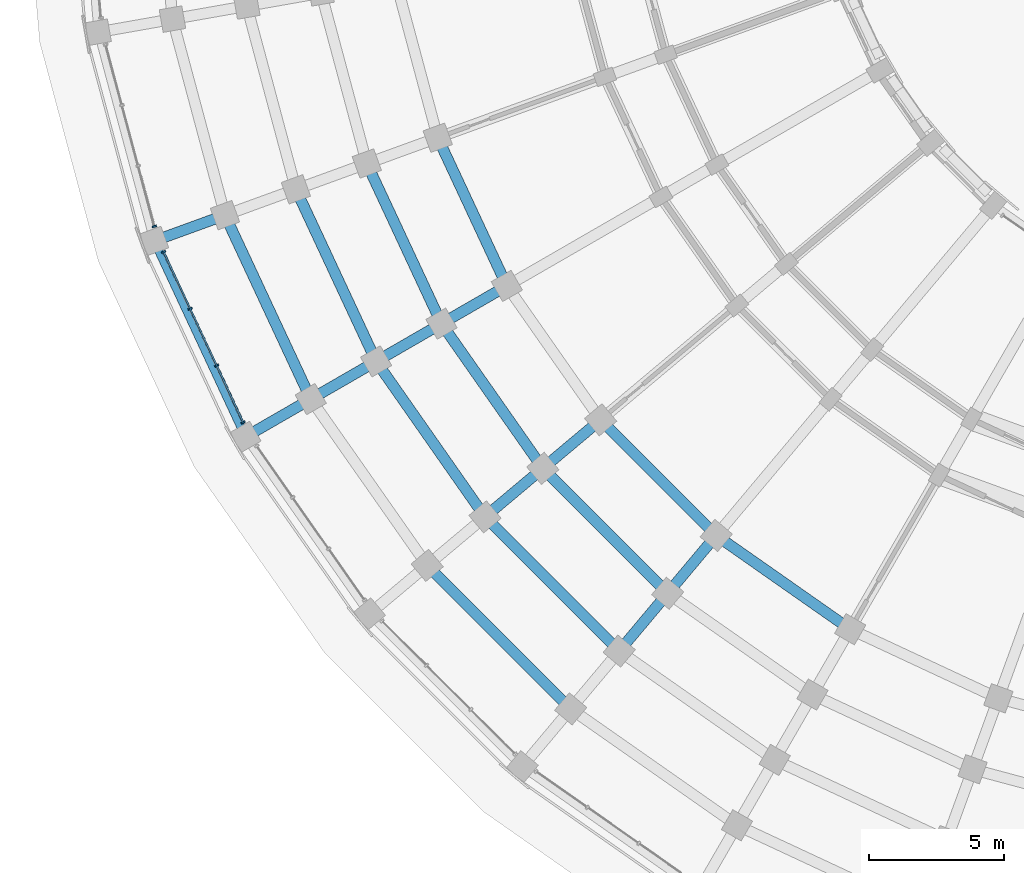
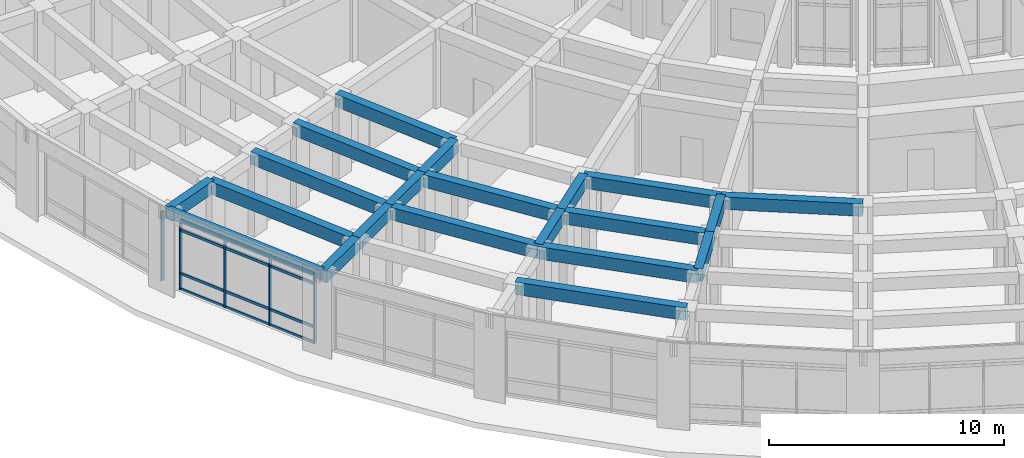
# One storey, part 14 of 135: 21 beams, 9 members, 2 elements without a shape of their own.
"""IFC4 building model written with IfcOpenShell, lengths in metres."""

from ifc_helpers import new_model, si_unit, direction, frame, origin, origin_2d, place, context, subcontext, project, spatial, rectangle, extrude, material, material_profile, profile_set, type_object, element, aggregate, save


model = new_model("IFC4")

# Units and contexts
model_context = context("Model", 3, precision=1e-05, world=origin(), true_north=direction((0.0, 1.0)))
body_context = subcontext(model_context, "Body", "Model", "MODEL_VIEW")
ifc_project = project(units=[si_unit("LENGTHUNIT", "METRE"), si_unit("AREAUNIT", "SQUARE_METRE"), si_unit("VOLUMEUNIT", "CUBIC_METRE"), si_unit("PLANEANGLEUNIT", "RADIAN"), si_unit("MASSUNIT", "GRAM", prefix="KILO")], contexts=[model_context])

# Site, building, storey
site_placement = place(None, origin())
site = spatial("IfcSite", under=ifc_project, at=site_placement, CompositionType="ELEMENT")
building_placement = place(site_placement, origin())
building = spatial("IfcBuilding", under=site, at=building_placement, Name="Kiranvali Square Residences", CompositionType="ELEMENT")
storey_placement = place(building_placement, origin())
storey = spatial("IfcBuildingStorey", under=building, at=storey_placement, Name="L00", CompositionType="ELEMENT", Elevation=0.0)

# Beams
ifc_material_1 = material(Name="Concrete M45 (45 MPa)", Category="concrete")
ifc_material_profile_1 = material_profile(ifc_material_1, rectangle(XDim=0.39990234375, YDim=0.64990234375, at=origin_2d()), Name="RC 400x650")
ifc_profile_set_1 = profile_set([ifc_material_profile_1], Name="Concrete M45 (45 MPa)")
beam_type_1 = type_object("IfcBeamType", Name="BM-M45-400x650", PredefinedType="BEAM", material=ifc_profile_set_1)
beam_1_placement = place(storey_placement, frame((30.800048828125, 18.062255859375, 3.824951171875), z_axis=(-0.81913926159, 0.573594691504, 0.0), x_axis=(-0.573594691504, -0.81913926159, 0.0)))
element("IfcBeam", 1, at=beam_1_placement, inside=storey, type_object=beam_type_1, Name="L00 beam BM-C-L00-C03-R3", PredefinedType="BEAM", context=body_context, shape_type="SweptSolid", body=[
    extrude(rectangle(XDim=0.39990234375, YDim=0.64990234375, at=origin_2d()), origin(), (0.0, 0.0, 1.0), 6.066162109375),
])
beam_2_placement = place(storey_placement, frame((25.8310546875, 21.541748046875, 3.824951171875), z_axis=(-0.707106781187, 0.707106781187, 0.0), x_axis=(-0.707106781187, -0.707106781187, 0.0)))
element("IfcBeam", 2, at=beam_2_placement, inside=storey, type_object=beam_type_1, Name="L00 beam BM-C-L00-C04-R3", PredefinedType="BEAM", context=body_context, shape_type="SweptSolid", body=[
    extrude(rectangle(XDim=0.39990234375, YDim=0.64990234375, at=origin_2d()), origin(), (0.0, 0.0, 1.0), 6.06591796875),
])
beam_3_placement = place(storey_placement, frame((24.03125, 19.396728515625, 3.824951171875), z_axis=(-0.707106781187, 0.707106781187, 0.0), x_axis=(-0.707106781187, -0.707106781187, 0.0)))
element("IfcBeam", 3, at=beam_3_placement, inside=storey, type_object=beam_type_1, Name="L00 beam BM-C-L00-C04-R4", PredefinedType="BEAM", context=body_context, shape_type="SweptSolid", body=[
    extrude(rectangle(XDim=0.39990234375, YDim=0.64990234375, at=origin_2d()), origin(), (0.0, 0.0, 1.0), 6.55419921875),
])
beam_4_placement = place(storey_placement, frame((22.2314453125, 17.251708984375, 3.824951171875), z_axis=(-0.707106781187, 0.707106781187, 0.0), x_axis=(-0.707106781187, -0.707106781187, 0.0)))
element("IfcBeam", 4, at=beam_4_placement, inside=storey, type_object=beam_type_1, Name="L00 beam BM-C-L00-C04-R5", PredefinedType="BEAM", context=body_context, shape_type="SweptSolid", body=[
    extrude(rectangle(XDim=0.39990234375, YDim=0.64990234375, at=origin_2d()), origin(), (0.0, 0.0, 1.0), 7.04248046875),
])
beam_5_placement = place(storey_placement, frame((20.431640625, 15.10693359375, 3.824951171875), z_axis=(-0.707106781187, 0.707106781187, 0.0), x_axis=(-0.707106781187, -0.707106781187, 0.0)))
element("IfcBeam", 5, at=beam_5_placement, inside=storey, type_object=beam_type_1, Name="L00 beam BM-C-L00-C04-R6", PredefinedType="BEAM", context=body_context, shape_type="SweptSolid", body=[
    extrude(rectangle(XDim=0.39990234375, YDim=0.64990234375, at=origin_2d()), origin(), (0.0, 0.0, 1.0), 7.5302734375),
])
beam_6_placement = place(storey_placement, frame((19.396728515625, 24.03125, 3.824951171875), z_axis=(-0.573587340268, 0.819144409176, 0.0), x_axis=(-0.819144409176, -0.573587340268, 0.0)))
element("IfcBeam", 6, at=beam_6_placement, inside=storey, type_object=beam_type_1, Name="L00 beam BM-C-L00-C05-R4", PredefinedType="BEAM", context=body_context, shape_type="SweptSolid", body=[
    extrude(rectangle(XDim=0.39990234375, YDim=0.64990234375, at=origin_2d()), origin(), (0.0, 0.0, 1.0), 6.553955078125),
])
beam_7_placement = place(storey_placement, frame((17.251708984375, 22.2314453125, 3.824951171875), z_axis=(-0.57356471828, 0.819160249246, 0.0), x_axis=(-0.819160249246, -0.57356471828, 0.0)))
element("IfcBeam", 7, at=beam_7_placement, inside=storey, type_object=beam_type_1, Name="L00 beam BM-C-L00-C05-R5", PredefinedType="BEAM", context=body_context, shape_type="SweptSolid", body=[
    extrude(rectangle(XDim=0.39990234375, YDim=0.64990234375, at=origin_2d()), origin(), (0.0, 0.0, 1.0), 7.0419921875),
])
beam_8_placement = place(storey_placement, frame((18.062255859375, 30.800048828125, 3.824951171875), z_axis=(-0.42260781991, 0.906312656069, 0.0), x_axis=(-0.906312656069, -0.42260781991, 0.0)))
element("IfcBeam", 8, at=beam_8_placement, inside=storey, type_object=beam_type_1, Name="L00 beam BM-C-L00-C06-R3", PredefinedType="BEAM", context=body_context, shape_type="SweptSolid", body=[
    extrude(rectangle(XDim=0.39990234375, YDim=0.64990234375, at=origin_2d()), origin(), (0.0, 0.0, 1.0), 6.06591796875),
])
beam_9_placement = place(storey_placement, frame((15.637451171875, 29.39990234375, 3.824951171875), z_axis=(-0.422595876255, 0.906318225223, 0.0), x_axis=(-0.906318225223, -0.422595876255, 0.0)))
element("IfcBeam", 9, at=beam_9_placement, inside=storey, type_object=beam_type_1, Name="L00 beam BM-C-L00-C06-R4", PredefinedType="BEAM", context=body_context, shape_type="SweptSolid", body=[
    extrude(rectangle(XDim=0.39990234375, YDim=0.64990234375, at=origin_2d()), origin(), (0.0, 0.0, 1.0), 6.55419921875),
])
beam_10_placement = place(storey_placement, frame((13.212646484375, 28.0, 3.824951171875), z_axis=(-0.422640621205, 0.906297360311, 0.0), x_axis=(-0.906297360311, -0.422640621205, 0.0)))
element("IfcBeam", 10, at=beam_10_placement, inside=storey, type_object=beam_type_1, Name="L00 beam BM-C-L00-C06-R5", PredefinedType="BEAM", context=body_context, shape_type="SweptSolid", body=[
    extrude(rectangle(XDim=0.39990234375, YDim=0.64990234375, at=origin_2d()), origin(), (0.0, 0.0, 1.0), 7.042236328125),
])
beam_11_placement = place(storey_placement, frame((10.78759765625, 26.60009765625, 3.824951171875), z_axis=(-0.422613886933, 0.90630982703, 0.0), x_axis=(-0.90630982703, -0.422613886933, 0.0)))
element("IfcBeam", 11, at=beam_11_placement, inside=storey, type_object=beam_type_1, Name="L00 beam BM-C-L00-C06-R6", PredefinedType="BEAM", context=body_context, shape_type="SweptSolid", body=[
    extrude(rectangle(XDim=0.39990234375, YDim=0.64990234375, at=origin_2d()), origin(), (0.0, 0.0, 1.0), 7.5302734375),
])
for number, where, z_axis, x_axis, name in (
    (12, (25.8310546875, 21.541748046875, 3.824951171875), (-0.642770757628, -0.766058583359, 0.0), (0.766058583359, -0.642770757628, 0.0), "L00 beam BM-C-L00-RAD04-34"),
    (13, (24.03125, 19.396728515625, 3.824951171875), (-0.642770757628, -0.766058583359, 0.0), (0.766058583359, -0.642770757628, 0.0), "L00 beam BM-C-L00-RAD04-45"),
    (14, (21.541748046875, 25.8310546875, 3.824951171875), (-0.766058583359, -0.642770757628, 0.0), (0.642770757628, -0.766058583359, 0.0), "L00 beam BM-C-L00-RAD05-34"),
    (15, (19.396728515625, 24.03125, 3.824951171875), (-0.766058583359, -0.642770757628, 0.0), (0.642770757628, -0.766058583359, 0.0), "L00 beam BM-C-L00-RAD05-45"),
    (16, (18.062255859375, 30.800048828125, 3.824951171875), (-0.865996816683, -0.500049511043, 0.0), (0.500049511043, -0.865996816683, 0.0), "L00 beam BM-C-L00-RAD06-34"),
):
    element("IfcBeam", number, at=place(storey_placement, frame(where, z_axis=z_axis, x_axis=x_axis)), inside=storey, type_object=beam_type_1, Name=name, PredefinedType="BEAM", context=body_context, shape_type="SweptSolid", body=[
        extrude(rectangle(XDim=0.39990234375, YDim=0.64990234375, at=origin_2d()), origin(), (0.0, 0.0, 1.0), 2.800048828125),
    ])
beam_12_placement = place(storey_placement, frame((15.637451171875, 29.39990234375, 3.824951171875), z_axis=(-0.866034573852, -0.49998411664, 0.0), x_axis=(0.49998411664, -0.866034573852, 0.0)))
element("IfcBeam", 17, at=beam_12_placement, inside=storey, type_object=beam_type_1, Name="L00 beam BM-C-L00-RAD06-45", PredefinedType="BEAM", context=body_context, shape_type="SweptSolid", body=[
    extrude(rectangle(XDim=0.39990234375, YDim=0.64990234375, at=origin_2d()), origin(), (0.0, 0.0, 1.0), 2.7998046875),
])
for number, where, z_axis, x_axis, name in (
    (18, (13.212646484375, 28.0, 3.824951171875), (-0.866056369097, -0.49994636267, 0.0), (0.49994636267, -0.866056369097, 0.0), "L00 beam BM-C-L00-RAD06-56"),
    (19, (10.78759765625, 26.60009765625, 3.824951171875), (-0.865996816683, -0.500049511043, 0.0), (0.500049511043, -0.865996816683, 0.0), "L00 beam BM-C-L00-RAD06-67"),
    (20, (7.605224609375, 33.4248046875, 3.824951171875), (-0.939678810556, -0.342058084236, 0.0), (0.342058084236, -0.939678810556, 0.0), "L00 beam BM-C-L00-RAD07-67"),
):
    element("IfcBeam", number, at=place(storey_placement, frame(where, z_axis=z_axis, x_axis=x_axis)), inside=storey, type_object=beam_type_1, Name=name, PredefinedType="BEAM", context=body_context, shape_type="SweptSolid", body=[
        extrude(rectangle(XDim=0.39990234375, YDim=0.64990234375, at=origin_2d()), origin(), (0.0, 0.0, 1.0), 2.800048828125),
    ])

# Curtain wall, members
ifc_material_2 = material(Name="Anodised bronze aluminium framing", Category="aluminium")
curtain_wall_type = type_object("IfcCurtainWallType", Name="CW-RET-SHOP", PredefinedType="USERDEFINED", material=ifc_material_2)
curtain_wall_1_placement = place(storey_placement, origin())
curtain_wall_1 = element("IfcCurtainWall", 21, at=curtain_wall_1_placement, inside=storey, type_object=curtain_wall_type, Name="Block C L00 rounded-corner arcade curtain wall 7", ObjectType="CURTAIN WALL", PredefinedType="USERDEFINED")
ifc_material_profile_2 = material_profile(ifc_material_2, rectangle(XDim=0.06494140625, YDim=0.159912109375, at=origin_2d()), Name="ALU 65x160")
ifc_profile_set_2 = profile_set([ifc_material_profile_2], Name="Anodised bronze aluminium framing")
member_type_1 = type_object("IfcMemberType", Name="CW-MUL-160", PredefinedType="MULLION", material=ifc_profile_set_2)
member_1_placement = place(storey_placement, frame((8.279052734375, 25.734619140625, 0.02001953125), z_axis=(0.0, 0.0, 1.0), x_axis=(-0.422618261741, 0.906307787037, 0.0)))
member_1 = element("IfcMember", 22, at=member_1_placement, type_object=member_type_1, Name="CW-C-L00-CRV-06 vertical mullion 1", PredefinedType="MULLION", context=body_context, shape_type="SweptSolid", body=[
    extrude(rectangle(XDim=0.06494140625, YDim=0.159912109375, at=origin_2d()), origin(), (0.0, 0.0, 1.0), 3.60986328125),
])
member_2_placement = place(storey_placement, frame((7.2958984375, 27.8427734375, 0.02001953125), z_axis=(0.0, 0.0, 1.0), x_axis=(-0.422618261741, 0.906307787037, 0.0)))
member_2 = element("IfcMember", 23, at=member_2_placement, type_object=member_type_1, Name="CW-C-L00-CRV-06 vertical mullion 2", PredefinedType="MULLION", context=body_context, shape_type="SweptSolid", body=[
    extrude(rectangle(XDim=0.06494140625, YDim=0.159912109375, at=origin_2d()), origin(), (0.0, 0.0, 1.0), 3.60986328125),
])
member_3_placement = place(storey_placement, frame((6.31298828125, 29.950927734375, 0.02001953125), z_axis=(0.0, 0.0, 1.0), x_axis=(-0.422618261741, 0.906307787037, 0.0)))
member_3 = element("IfcMember", 24, at=member_3_placement, type_object=member_type_1, Name="CW-C-L00-CRV-06 vertical mullion 3", PredefinedType="MULLION", context=body_context, shape_type="SweptSolid", body=[
    extrude(rectangle(XDim=0.06494140625, YDim=0.159912109375, at=origin_2d()), origin(), (0.0, 0.0, 1.0), 3.60986328125),
])
member_4_placement = place(storey_placement, frame((5.329833984375, 32.05908203125, 0.02001953125), z_axis=(0.0, 0.0, 1.0), x_axis=(-0.422618261741, 0.906307787037, 0.0)))
member_4 = element("IfcMember", 25, at=member_4_placement, type_object=member_type_1, Name="CW-C-L00-CRV-06 vertical mullion 4", PredefinedType="MULLION", context=body_context, shape_type="SweptSolid", body=[
    extrude(rectangle(XDim=0.06494140625, YDim=0.159912109375, at=origin_2d()), origin(), (0.0, 0.0, 1.0), 3.60986328125),
])

# Curtain wall, member
curtain_wall_2_placement = place(storey_placement, origin())
curtain_wall_2 = element("IfcCurtainWall", 26, at=curtain_wall_2_placement, inside=storey, type_object=curtain_wall_type, Name="Block C L00 rounded-corner arcade curtain wall 8", ObjectType="CURTAIN WALL", PredefinedType="USERDEFINED")
member_5_placement = place(storey_placement, frame((4.984375, 33.00830078125, 0.02001953125), z_axis=(0.0, 0.0, 1.0), x_axis=(-0.258819045103, 0.965925826289, 0.0)))
member_5 = element("IfcMember", 27, at=member_5_placement, type_object=member_type_1, Name="CW-C-L00-CRV-07 vertical mullion 1", PredefinedType="MULLION", context=body_context, shape_type="SweptSolid", body=[
    extrude(rectangle(XDim=0.06494140625, YDim=0.159912109375, at=origin_2d()), origin(), (0.0, 0.0, 1.0), 3.60986328125),
])
aggregate(curtain_wall_2, [member_5])

# Member
ifc_material_profile_3 = material_profile(ifc_material_2, rectangle(XDim=0.06494140625, YDim=0.139892578125, at=origin_2d()), Name="ALU 65x140")
ifc_profile_set_3 = profile_set([ifc_material_profile_3], Name="Anodised bronze aluminium framing")
member_type_2 = type_object("IfcMemberType", Name="CW-TRN-140", PredefinedType="MULLION", material=ifc_profile_set_3)
member_6_placement = place(storey_placement, frame((8.27490234375, 25.74365234375, 0.0400390625), z_axis=(-0.422641515237, 0.90629694339, 0.0), x_axis=(-0.90629694339, -0.422641515237, 0.0)))
member_6 = element("IfcMember", 28, at=member_6_placement, type_object=member_type_2, Name="CW-C-L00-CRV-06 horizontal transom 1", PredefinedType="MULLION", context=body_context, shape_type="SweptSolid", body=[
    extrude(rectangle(XDim=0.06494140625, YDim=0.139892578125, at=origin_2d()), origin(), (0.0, 0.0, 1.0), 6.95849609375),
])

member_7_placement = place(storey_placement, frame((8.27490234375, 25.74365234375, 0.85009765625), z_axis=(-0.422641515237, 0.90629694339, 0.0), x_axis=(-0.90629694339, -0.422641515237, 0.0)))
member_7 = element("IfcMember", 29, at=member_7_placement, type_object=member_type_2, Name="CW-C-L00-CRV-06 horizontal transom 2", PredefinedType="MULLION", context=body_context, shape_type="SweptSolid", body=[
    extrude(rectangle(XDim=0.06494140625, YDim=0.139892578125, at=origin_2d()), origin(), (0.0, 0.0, 1.0), 6.95849609375),
])

member_8_placement = place(storey_placement, frame((8.27490234375, 25.74365234375, 3.10009765625), z_axis=(-0.422641515237, 0.90629694339, 0.0), x_axis=(-0.90629694339, -0.422641515237, 0.0)))
member_8 = element("IfcMember", 30, at=member_8_placement, type_object=member_type_2, Name="CW-C-L00-CRV-06 horizontal transom 3", PredefinedType="MULLION", context=body_context, shape_type="SweptSolid", body=[
    extrude(rectangle(XDim=0.06494140625, YDim=0.139892578125, at=origin_2d()), origin(), (0.0, 0.0, 1.0), 6.95849609375),
])

member_9_placement = place(storey_placement, frame((8.27490234375, 25.74365234375, 3.610107421875), z_axis=(-0.422641515237, 0.90629694339, 0.0), x_axis=(-0.90629694339, -0.422641515237, 0.0)))
member_9 = element("IfcMember", 31, at=member_9_placement, type_object=member_type_2, Name="CW-C-L00-CRV-06 horizontal transom 4", PredefinedType="MULLION", context=body_context, shape_type="SweptSolid", body=[
    extrude(rectangle(XDim=0.06494140625, YDim=0.139892578125, at=origin_2d()), origin(), (0.0, 0.0, 1.0), 6.95849609375),
])

aggregate(curtain_wall_1, [member_1, member_2, member_3, member_4, member_6, member_7, member_8, member_9])

# Beam
ifc_material_3 = material(Name="Concrete M40 (40 MPa)", Category="concrete")
ifc_material_profile_4 = material_profile(ifc_material_3, rectangle(XDim=0.300048828125, YDim=0.449951171875, at=origin_2d()), Name="RC 300x450")
ifc_profile_set_4 = profile_set([ifc_material_profile_4], Name="Concrete M40 (40 MPa)")
beam_type_2 = type_object("IfcBeamType", Name="SPN-M40-300x450", PredefinedType="SPANDREL", material=ifc_profile_set_4)
beam_13_placement = place(storey_placement, frame((8.36279296875, 25.199951171875, 3.925048828125), z_axis=(-0.422615416827, 0.906309113636, 0.0), x_axis=(-0.906309113636, -0.422615416827, 0.0)))
element("IfcBeam", 32, at=beam_13_placement, inside=storey, type_object=beam_type_2, Name="L00 beam BM-C-L00-C06-R7", PredefinedType="SPANDREL", context=body_context, shape_type="SweptSolid", body=[
    extrude(rectangle(XDim=0.300048828125, YDim=0.449951171875, at=origin_2d()), origin(), (0.0, 0.0, 1.0), 8.018310546875),
])

save(model, "model.ifc")
